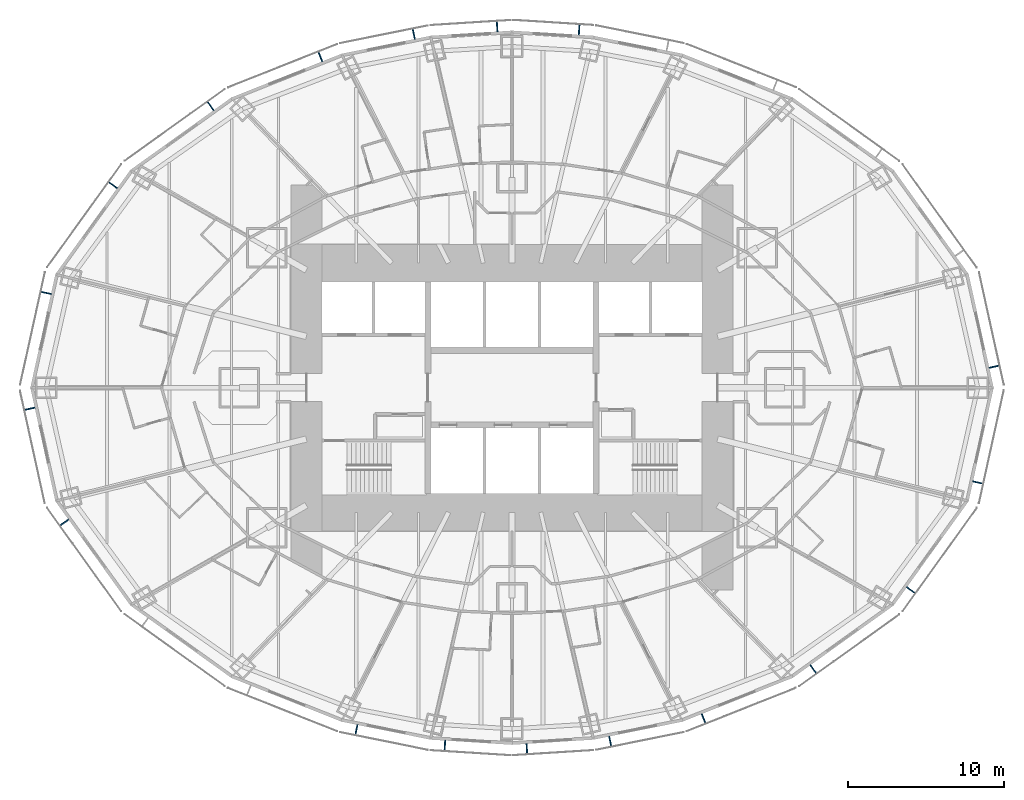
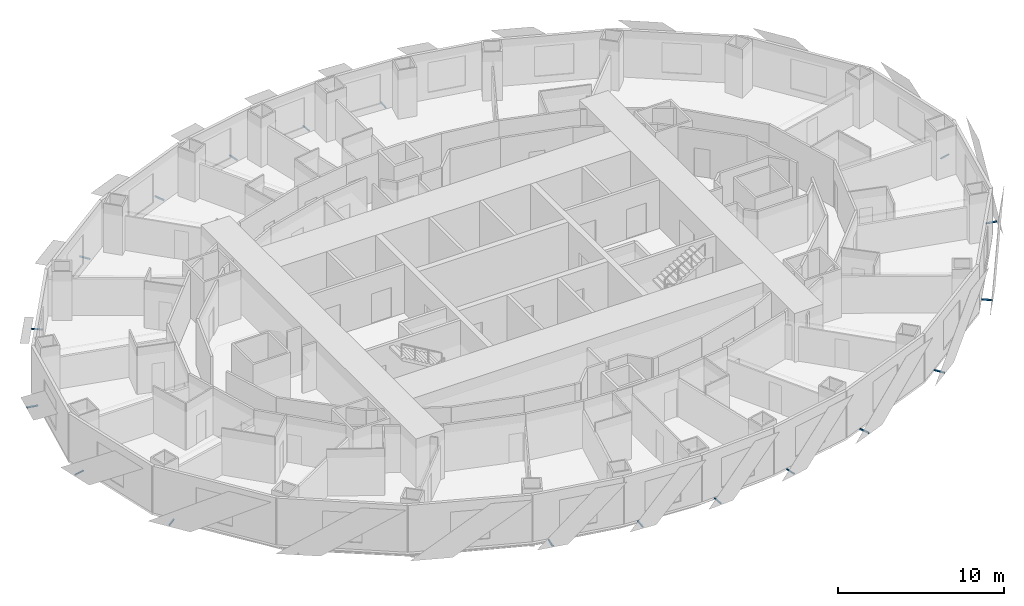
# One storey, part 11 of 15: 18 discrete accessories.
"""IFC4 building model written with IfcOpenShell, lengths in metres."""

from ifc_helpers import new_model, si_unit, direction, frame, origin, origin_2d, place, context, subcontext, project, spatial, rectangle, extrude, element, save


model = new_model("IFC4")

# Units and contexts
model_context = context("Model", 3, precision=1e-05, world=origin(), true_north=direction((0.0, 1.0)))
body_context = subcontext(model_context, "Body", "Model", "MODEL_VIEW")
ifc_project = project(units=[si_unit("LENGTHUNIT", "METRE"), si_unit("AREAUNIT", "SQUARE_METRE"), si_unit("VOLUMEUNIT", "CUBIC_METRE"), si_unit("PLANEANGLEUNIT", "RADIAN"), si_unit("MASSUNIT", "GRAM", prefix="KILO")], contexts=[model_context])

# Site, building, storey
site_placement = place(None, origin())
site = spatial("IfcSite", under=ifc_project, at=site_placement, CompositionType="ELEMENT")
building_placement = place(site_placement, origin())
building = spatial("IfcBuilding", under=site, at=building_placement, Name="Lantaw Convention Tower", CompositionType="ELEMENT")
storey_placement = place(building_placement, frame((0.0, 0.0, 44.199951171875)))
storey = spatial("IfcBuildingStorey", under=building, at=storey_placement, Name="L08", CompositionType="ELEMENT", Elevation=44.199951171875)

# Discrete accessories
for number, where, z_axis, x_axis, name in (
    (1, (30.967529296875, 1.35009765625, -0.114990234375), (0.0, 0.0, 1.0), (-0.215246056391, 0.976559847223, 0.0), "Screen bracket"),
    (2, (4.310302734375, 22.987548828125, -0.114990234375), (0.0, 0.0, 1.0), (-0.998016153807, 0.062958373078, 0.0), "Screen bracket"),
    (3, (-0.9560546875, 23.19921875, -0.114990234375), (0.0, 0.0, 1.0), (-0.998016153807, -0.062958373078, 0.0), "Screen bracket"),
    (4, (-6.307861328125, 22.71728515625, -0.114990234375), (0.0, 0.0, 1.0), (-0.980244604501, -0.197789067813, 0.0), "Screen bracket"),
    (5, (-12.309814453125, 21.25732421875, -0.114990234375), (0.0, 0.0, 1.0), (-0.929361152748, -0.369171840425, 0.0), "Screen bracket"),
    (6, (-19.352294921875, 18.085205078125, -0.114990234375), (0.0, 0.0, 1.0), (-0.812803733199, -0.5825376308, 0.0), "Screen bracket"),
    (7, (-25.61962890625, 13.004638671875, -0.114990234375), (0.0, 0.0, 1.0), (-0.583951250436, -0.811788726895, 0.0), "Screen bracket"),
    (8, (-29.92333984375, 6.087890625, -0.114990234375), (0.0, 0.0, 1.0), (-0.215246056391, -0.976559847223, 0.0), "Screen bracket"),
    (9, (-30.967529296875, -1.35009765625, -0.114990234375), (0.0, 0.0, 1.0), (0.215246056391, -0.976559847223, 0.0), "Screen bracket"),
    (10, (-28.745849609375, -8.65869140625, -0.114990234375), (0.0, 0.0, 1.0), (0.583951250436, -0.811788726895, 0.0), "Screen bracket"),
    (11, (-9.990478515625, -21.974365234375, -0.114990234375), (0.0, 0.0, 1.0), (0.980244604501, -0.197789067813, 0.0), "Screen bracket"),
    (12, (-4.310302734375, -22.987548828125, -0.114990234375), (0.0, 0.0, 1.0), (0.998016153807, -0.062958373078, 0.0), "Screen bracket"),
    (13, (0.9560546875, -23.19921875, -0.114990234375), (0.0, 0.0, 1.0), (0.998016153807, 0.062958373078, 0.0), "Screen bracket"),
    (14, (6.307861328125, -22.71728515625, -0.114990234375), (0.0, 0.0, 1.0), (0.980244604501, 0.197789067813, 0.0), "Screen bracket"),
    (15, (12.309814453125, -21.25732421875, -0.114990234375), (0.0, 0.0, 1.0), (0.929361152748, 0.369171840425, 0.0), "Screen bracket"),
    (16, (19.352294921875, -18.085205078125, -0.114990234375), (0.0, 0.0, 1.0), (0.812803733199, 0.5825376308, 0.0), "Screen bracket"),
    (17, (25.61962890625, -13.004638671875, -0.114990234375), (0.0, 0.0, 1.0), (0.583951250436, 0.811788726895, 0.0), "Screen bracket"),
    (18, (29.92333984375, -6.087890625, -0.114990234375), (0.0, 0.0, 1.0), (0.215246056391, 0.976559847223, 0.0), "Screen bracket"),
):
    element("IfcDiscreteAccessory", number, at=place(storey_placement, frame(where, z_axis=z_axis, x_axis=x_axis)), inside=storey, Name=name, PredefinedType="BRACKET", context=body_context, shape_type="SweptSolid", body=[
        extrude(rectangle(XDim=0.080078125, YDim=0.68798828125, at=origin_2d()), origin(), (0.0, 0.0, 1.0), 0.080078125),
    ])

save(model, "model.ifc")
